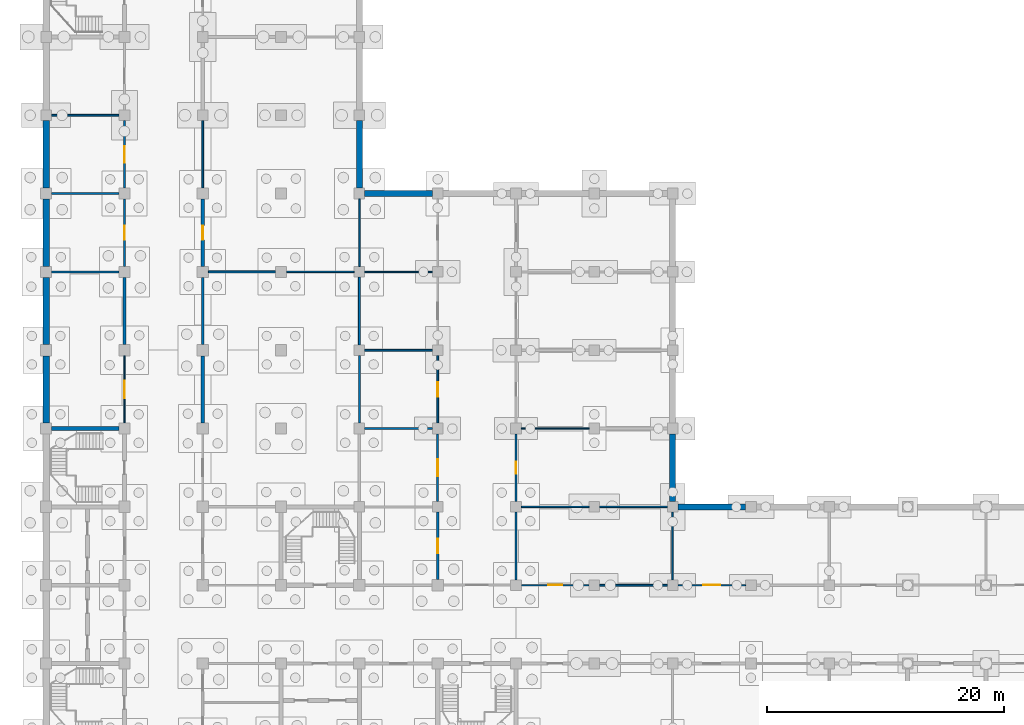
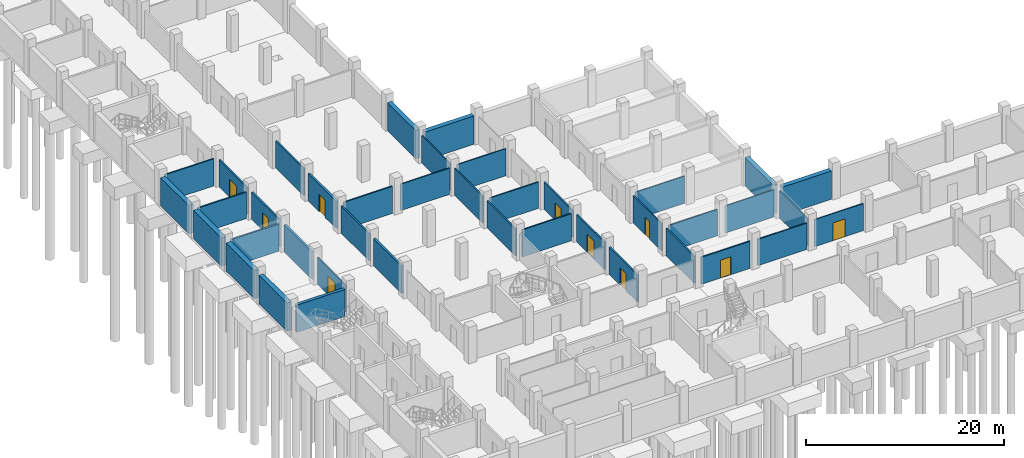
# One storey, part 9 of 18: 40 walls, 10 doors, 10 openings.
"""IFC4 building model written with IfcOpenShell, lengths in metres."""

from ifc_helpers import new_model, si_unit, direction, frame, frame_2d, origin, place, context, subcontext, project, spatial, rectangle, extrude, material, layer, layer_set, type_object, element, fill, save


model = new_model("IFC4")

# Units and contexts
model_context = context("Model", 3, precision=1e-05, world=origin(), true_north=direction((0.0, 1.0)))
body_context = subcontext(model_context, "Body", "Model", "MODEL_VIEW")
ifc_project = project(units=[si_unit("LENGTHUNIT", "METRE"), si_unit("AREAUNIT", "SQUARE_METRE"), si_unit("VOLUMEUNIT", "CUBIC_METRE"), si_unit("PLANEANGLEUNIT", "RADIAN"), si_unit("MASSUNIT", "GRAM", prefix="KILO")], contexts=[model_context])

# Site, building, storey
site_placement = place(None, origin())
site = spatial("IfcSite", under=ifc_project, at=site_placement, CompositionType="ELEMENT")
building_placement = place(site_placement, origin())
building = spatial("IfcBuilding", under=site, at=building_placement, Name="Rusizi Kubbe Research Institute", CompositionType="ELEMENT")
storey_placement = place(building_placement, frame((0.0, 0.0, -4.5)))
storey = spatial("IfcBuildingStorey", under=building, at=storey_placement, Name="B01", CompositionType="ELEMENT", Elevation=-4.5)

# Walls
ifc_material_1 = material(Name="Concrete C45/55", Category="concrete")
ifc_layer_1 = layer(ifc_material_1, 0.35009765625)
ifc_layer_set_1 = layer_set([ifc_layer_1], Name="Concrete C45/55")
wall_type_1 = type_object("IfcWallType", Name="CRW-01", PredefinedType="SHEAR", material=ifc_layer_set_1)
wall_1_placement = place(storey_placement, frame((0.47509765625, 33.0, 0.0), z_axis=(0.0, 0.0, 1.0), x_axis=(1.0, 0.0, 0.0)))
element("IfcWall", 1, at=wall_1_placement, inside=storey, type_object=wall_type_1, Name="Stair Core Shear Wall ST2 B01 N", PredefinedType="SHEAR", context=body_context, shape_type="SweptSolid", body=[
    extrude(rectangle(XDim=5.64990234375, YDim=0.35009765625, at=frame_2d((2.824951171875, 0.0))), origin(), (0.0, 0.0, 1.0), 3.340087890625),
])
ifc_material_2 = material(Name="Concrete Blockwork Fire Partition", Category="masonry")
ifc_layer_2 = layer(ifc_material_2, 0.22509765625)
ifc_layer_set_2 = layer_set([ifc_layer_2], Name="Concrete Blockwork Fire Partition")
wall_type_2 = type_object("IfcWallType", Name="IW-01", PredefinedType="PARTITIONING", material=ifc_layer_set_2)
wall_2_placement = place(storey_placement, frame((6.60009765625, 40.074951171875, 0.0), z_axis=(0.0, 0.0, 1.0), x_axis=(0.0, 1.0, 0.0)))
element("IfcWall", 2, at=wall_2_placement, inside=storey, type_object=wall_type_2, Name="Interior Partition Wall B01 V1-6", PredefinedType="PARTITIONING", context=body_context, shape_type="SweptSolid", body=[
    extrude(rectangle(XDim=5.650146484375, YDim=0.22509765625, at=frame_2d((2.8251953125, 0.0))), origin(), (0.0, 0.0, 1.0), 3.340087890625),
])
ifc_material_3 = material(Name="Insulated Cleanroom Partition", Category="masonry")
ifc_layer_3 = layer(ifc_material_3, 0.195068359375)
ifc_layer_set_3 = layer_set([ifc_layer_3], Name="Insulated Cleanroom Partition")
wall_type_3 = type_object("IfcWallType", Name="IW-02", PredefinedType="PARTITIONING", material=ifc_layer_set_3)
wall_3_placement = place(storey_placement, frame((0.47509765625, 46.199951171875, 0.0), z_axis=(0.0, 0.0, 1.0), x_axis=(1.0, 0.0, 0.0)))
element("IfcWall", 3, at=wall_3_placement, inside=storey, type_object=wall_type_3, Name="Interior Partition Wall B01 H0-7", PredefinedType="PARTITIONING", context=body_context, shape_type="SweptSolid", body=[
    extrude(rectangle(XDim=5.64990234375, YDim=0.195068359375, at=frame_2d((2.824951171875, 0.0))), origin(), (0.0, 0.0, 1.0), 3.340087890625),
])

# Wall, opening, door
wall_4_placement = place(storey_placement, frame((6.60009765625, 46.675048828125, 0.0), z_axis=(0.0, 0.0, 1.0), x_axis=(0.0, 1.0, 0.0)))
wall_4 = element("IfcWall", 4, at=wall_4_placement, inside=storey, type_object=wall_type_3, Name="Interior Partition Wall B01 V1-7", PredefinedType="PARTITIONING", context=body_context, shape_type="SweptSolid", body=[
    extrude(rectangle(XDim=5.64990234375, YDim=0.195068359375, at=frame_2d((2.824951171875, 0.0))), origin(), (0.0, 0.0, 1.0), 3.340087890625),
])
opening_1_placement = place(wall_4_placement, frame((2.215087890625, 0.0, 0.0)))
opening_1 = element("IfcOpeningElement", 5, at=opening_1_placement, cuts=wall_4, Name="Opening D-21", PredefinedType="OPENING", context=body_context, shape_type="SweptSolid", body=[
    extrude(rectangle(XDim=1.219970703125, YDim=2.14990234375, at=frame_2d((0.60986328125, 1.074951171875))), frame((0.0, 0.107421875, 0.0), z_axis=(0.0, -1.0, 0.0), x_axis=(1.0, 0.0, 0.0)), (0.0, 0.0, 1.0), 0.215087890625),
])
ifc_material_4 = material(Name="Fire-Rated Steel Frame and Acoustic Timber Leaf", Category="wood")
door_type_1 = type_object("IfcDoorType", Name="ID-STR-122", OperationType="NOTDEFINED", PredefinedType="DOOR", material=ifc_material_4)
door_1_placement = place(opening_1_placement, origin())
door_1 = element("IfcDoor", 6, at=door_1_placement, inside=storey, type_object=door_type_1, Name="Door to Water Reserve Tank Room (B01-B01W-07)", OperationType="SINGLE_SWING_RIGHT", OverallHeight=2.14990234375, OverallWidth=1.219970703125, PredefinedType="DOOR", context=body_context, shape_type="SweptSolid", body=[
    extrude(rectangle(XDim=1.219970703125, YDim=2.14990234375, at=frame_2d((0.60986328125, 1.074951171875))), frame((0.0, 0.02490234375, 0.0), z_axis=(0.0, -1.0, 0.0), x_axis=(1.0, 0.0, 0.0)), (0.0, 0.0, 1.0), 0.050048828125),
])
fill(opening_1, door_1)

# Wall
wall_5_placement = place(storey_placement, frame((13.199951171875, 40.074951171875, 0.0), z_axis=(0.0, 0.0, 1.0), x_axis=(0.0, 1.0, 0.0)))
element("IfcWall", 7, at=wall_5_placement, inside=storey, type_object=wall_type_3, Name="Interior Partition Wall B01 V2-6", PredefinedType="PARTITIONING", context=body_context, shape_type="SweptSolid", body=[
    extrude(rectangle(XDim=5.650146484375, YDim=0.195068359375, at=frame_2d((2.8251953125, 0.0))), origin(), (0.0, 0.0, 1.0), 3.340087890625),
])

# Wall, opening, door
wall_6_placement = place(storey_placement, frame((33.0, 20.27490234375, 0.0), z_axis=(0.0, 0.0, 1.0), x_axis=(0.0, 1.0, 0.0)))
wall_6 = element("IfcWall", 8, at=wall_6_placement, inside=storey, type_object=wall_type_3, Name="Interior Partition Wall B01 V5-3", PredefinedType="PARTITIONING", context=body_context, shape_type="SweptSolid", body=[
    extrude(rectangle(XDim=5.675048828125, YDim=0.195068359375, at=frame_2d((2.83740234375, 0.0))), origin(), (0.0, 0.0, 1.0), 3.340087890625),
])
opening_2_placement = place(wall_6_placement, frame((2.215087890625, 0.0, 0.0)))
opening_2 = element("IfcOpeningElement", 9, at=opening_2_placement, cuts=wall_6, Name="Opening D-21", PredefinedType="OPENING", context=body_context, shape_type="SweptSolid", body=[
    extrude(rectangle(XDim=1.219970703125, YDim=2.14990234375, at=frame_2d((0.60986328125, 1.074951171875))), frame((0.0, 0.107421875, 0.0), z_axis=(0.0, -1.0, 0.0), x_axis=(1.0, 0.0, 0.0)), (0.0, 0.0, 1.0), 0.215087890625),
])
door_2_placement = place(opening_2_placement, origin())
door_2 = element("IfcDoor", 10, at=door_2_placement, inside=storey, type_object=door_type_1, Name="Door to Sub-Fab Equipment Room (B01-ELBW-03)", OperationType="SINGLE_SWING_RIGHT", OverallHeight=2.14990234375, OverallWidth=1.219970703125, PredefinedType="DOOR", context=body_context, shape_type="SweptSolid", body=[
    extrude(rectangle(XDim=1.219970703125, YDim=2.14990234375, at=frame_2d((0.60986328125, 1.074951171875))), frame((0.0, 0.02490234375, 0.0), z_axis=(0.0, -1.0, 0.0), x_axis=(1.0, 0.0, 0.0)), (0.0, 0.0, 1.0), 0.050048828125),
])
fill(opening_2, door_2)

# Wall
ifc_material_5 = material(Name="Acoustic Laboratory Partition", Category="masonry")
ifc_layer_4 = layer(ifc_material_5, 0.175048828125)
ifc_layer_set_4 = layer_set([ifc_layer_4], Name="Acoustic Laboratory Partition")
wall_type_4 = type_object("IfcWallType", Name="IW-03", PredefinedType="PARTITIONING", material=ifc_layer_set_4)
wall_7_placement = place(storey_placement, frame((0.47509765625, 52.800048828125, 0.0), z_axis=(0.0, 0.0, 1.0), x_axis=(1.0, 0.0, 0.0)))
element("IfcWall", 11, at=wall_7_placement, inside=storey, type_object=wall_type_4, Name="Interior Partition Wall B01 H0-8", PredefinedType="PARTITIONING", context=body_context, shape_type="SweptSolid", body=[
    extrude(rectangle(XDim=5.64990234375, YDim=0.175048828125, at=frame_2d((2.824951171875, 0.0))), origin(), (0.0, 0.0, 1.0), 3.239990234375),
])

# Wall, opening, door
wall_8_placement = place(storey_placement, frame((6.60009765625, 53.27490234375, 0.0), z_axis=(0.0, 0.0, 1.0), x_axis=(0.0, 1.0, 0.0)))
wall_8 = element("IfcWall", 12, at=wall_8_placement, inside=storey, type_object=wall_type_4, Name="Interior Partition Wall B01 V1-8", PredefinedType="PARTITIONING", context=body_context, shape_type="SweptSolid", body=[
    extrude(rectangle(XDim=5.675048828125, YDim=0.175048828125, at=frame_2d((2.83740234375, 0.0))), origin(), (0.0, 0.0, 1.0), 3.340087890625),
])
opening_3_placement = place(wall_8_placement, frame((2.114990234375, 0.0, 0.0)))
opening_3 = element("IfcOpeningElement", 13, at=opening_3_placement, cuts=wall_8, Name="Opening D-22", PredefinedType="OPENING", context=body_context, shape_type="SweptSolid", body=[
    extrude(rectangle(XDim=1.419921875, YDim=2.199951171875, at=frame_2d((0.7099609375, 1.10009765625))), frame((0.0, 0.097412109375, 0.0), z_axis=(0.0, -1.0, 0.0), x_axis=(1.0, 0.0, 0.0)), (0.0, 0.0, 1.0), 0.195068359375),
])
ifc_material_6 = material(Name="Fire-Rated Steel Frame and Acoustic Timber Leaf", Category="wood")
door_type_2 = type_object("IfcDoorType", Name="ID-STR-142", OperationType="DOUBLE_DOOR_SINGLE_SWING", PredefinedType="DOOR", material=ifc_material_6)
door_3_placement = place(opening_3_placement, origin())
door_3 = element("IfcDoor", 14, at=door_3_placement, inside=storey, type_object=door_type_2, Name="Door to Sub-Fab Chiller and Pump Plant Room (B01-B01W-08)", OperationType="DOUBLE_DOOR_SINGLE_SWING", OverallHeight=2.199951171875, OverallWidth=1.419921875, PredefinedType="DOOR", context=body_context, shape_type="SweptSolid", body=[
    extrude(rectangle(XDim=1.419921875, YDim=2.199951171875, at=frame_2d((0.7099609375, 1.10009765625))), frame((0.0, 0.02490234375, 0.0), z_axis=(0.0, -1.0, 0.0), x_axis=(1.0, 0.0, 0.0)), (0.0, 0.0, 1.0), 0.050048828125),
])
fill(opening_3, door_3)

# Wall
wall_9_placement = place(storey_placement, frame((26.39990234375, 33.449951171875, 0.0), z_axis=(0.0, 0.0, 1.0), x_axis=(0.0, 1.0, 0.0)))
element("IfcWall", 15, at=wall_9_placement, inside=storey, type_object=wall_type_4, Name="Interior Partition Wall B01 V4-5", PredefinedType="PARTITIONING", context=body_context, shape_type="SweptSolid", body=[
    extrude(rectangle(XDim=5.699951171875, YDim=0.175048828125, at=frame_2d((2.85009765625, 0.0))), origin(), (0.0, 0.0, 1.0), 3.340087890625),
])

# Wall, opening, door
wall_10_placement = place(storey_placement, frame((33.0, 26.85009765625, 0.0), z_axis=(0.0, 0.0, 1.0), x_axis=(0.0, 1.0, 0.0)))
wall_10 = element("IfcWall", 16, at=wall_10_placement, inside=storey, type_object=wall_type_4, Name="Interior Partition Wall B01 V5-4", PredefinedType="PARTITIONING", context=body_context, shape_type="SweptSolid", body=[
    extrude(rectangle(XDim=5.699951171875, YDim=0.175048828125, at=frame_2d((2.85009765625, 0.0))), origin(), (0.0, 0.0, 1.0), 3.340087890625),
])
opening_4_placement = place(wall_10_placement, frame((2.139892578125, 0.0, 0.0)))
opening_4 = element("IfcOpeningElement", 17, at=opening_4_placement, cuts=wall_10, Name="Opening D-22", PredefinedType="OPENING", context=body_context, shape_type="SweptSolid", body=[
    extrude(rectangle(XDim=1.419921875, YDim=2.199951171875, at=frame_2d((0.7099609375, 1.10009765625))), frame((0.0, 0.097412109375, 0.0), z_axis=(0.0, -1.0, 0.0), x_axis=(1.0, 0.0, 0.0)), (0.0, 0.0, 1.0), 0.195068359375),
])
door_4_placement = place(opening_4_placement, origin())
door_4 = element("IfcDoor", 18, at=door_4_placement, inside=storey, type_object=door_type_2, Name="Door to Sub-Fab Equipment Room (B01-ELBW-04)", OperationType="DOUBLE_DOOR_SINGLE_SWING", OverallHeight=2.199951171875, OverallWidth=1.419921875, PredefinedType="DOOR", context=body_context, shape_type="SweptSolid", body=[
    extrude(rectangle(XDim=1.419921875, YDim=2.199951171875, at=frame_2d((0.7099609375, 1.10009765625))), frame((0.0, 0.02490234375, 0.0), z_axis=(0.0, -1.0, 0.0), x_axis=(1.0, 0.0, 0.0)), (0.0, 0.0, 1.0), 0.050048828125),
])
fill(opening_4, door_4)

# Walls
wall_11_placement = place(storey_placement, frame((39.60009765625, 20.25, 0.0), z_axis=(0.0, 0.0, 1.0), x_axis=(0.0, 1.0, 0.0)))
element("IfcWall", 19, at=wall_11_placement, inside=storey, type_object=wall_type_4, Name="Interior Partition Wall B01 V6-3", PredefinedType="PARTITIONING", context=body_context, shape_type="SweptSolid", body=[
    extrude(rectangle(XDim=5.699951171875, YDim=0.175048828125, at=frame_2d((2.85009765625, 0.0))), origin(), (0.0, 0.0, 1.0), 3.340087890625),
])
ifc_material_7 = material(Name="Fire-Rated Corridor Partition", Category="masonry")
ifc_layer_5 = layer(ifc_material_7, 0.155029296875)
ifc_layer_set_5 = layer_set([ifc_layer_5], Name="Fire-Rated Corridor Partition")
wall_type_5 = type_object("IfcWallType", Name="IW-04", PredefinedType="PARTITIONING", material=ifc_layer_set_5)
wall_12_placement = place(storey_placement, frame((0.449951171875, 59.39990234375, 0.0), z_axis=(0.0, 0.0, 1.0), x_axis=(1.0, 0.0, 0.0)))
element("IfcWall", 20, at=wall_12_placement, inside=storey, type_object=wall_type_5, Name="Interior Partition Wall B01 H0-9", PredefinedType="PARTITIONING", context=body_context, shape_type="SweptSolid", body=[
    extrude(rectangle(XDim=5.699951171875, YDim=0.155029296875, at=frame_2d((2.85009765625, 0.0))), origin(), (0.0, 0.0, 1.0), 3.340087890625),
])
wall_13_placement = place(storey_placement, frame((13.199951171875, 53.27490234375, 0.0), z_axis=(0.0, 0.0, 1.0), x_axis=(0.0, 1.0, 0.0)))
element("IfcWall", 21, at=wall_13_placement, inside=storey, type_object=wall_type_5, Name="Interior Partition Wall B01 V2-8", PredefinedType="PARTITIONING", context=body_context, shape_type="SweptSolid", body=[
    extrude(rectangle(XDim=5.675048828125, YDim=0.155029296875, at=frame_2d((2.83740234375, 0.0))), origin(), (0.0, 0.0, 1.0), 3.340087890625),
])
wall_14_placement = place(storey_placement, frame((13.675048828125, 46.199951171875, 0.0), z_axis=(0.0, 0.0, 1.0), x_axis=(1.0, 0.0, 0.0)))
element("IfcWall", 22, at=wall_14_placement, inside=storey, type_object=wall_type_5, Name="Interior Partition Wall B01 H2-7", PredefinedType="PARTITIONING", context=body_context, shape_type="SweptSolid", body=[
    extrude(rectangle(XDim=5.64990234375, YDim=0.155029296875, at=frame_2d((2.824951171875, 0.0))), origin(), (0.0, 0.0, 1.0), 3.340087890625),
])
for number, where, z_axis, x_axis, name in (
    (23, (26.39990234375, 40.050048828125, 0.0), (0.0, 0.0, 1.0), (0.0, 1.0, 0.0), "Interior Partition Wall B01 V4-6"),
    (24, (26.85009765625, 33.0, 0.0), (0.0, 0.0, 1.0), (1.0, 0.0, 0.0), "Interior Partition Wall B01 H4-5"),
):
    element("IfcWall", number, at=place(storey_placement, frame(where, z_axis=z_axis, x_axis=x_axis)), inside=storey, type_object=wall_type_5, Name=name, PredefinedType="PARTITIONING", context=body_context, shape_type="SweptSolid", body=[
        extrude(rectangle(XDim=5.699951171875, YDim=0.155029296875, at=frame_2d((2.85009765625, 0.0))), origin(), (0.0, 0.0, 1.0), 3.340087890625),
    ])

# Wall, opening, door
wall_15_placement = place(storey_placement, frame((33.0, 33.449951171875, 0.0), z_axis=(0.0, 0.0, 1.0), x_axis=(0.0, 1.0, 0.0)))
wall_15 = element("IfcWall", 25, at=wall_15_placement, inside=storey, type_object=wall_type_5, Name="Interior Partition Wall B01 V5-5", PredefinedType="PARTITIONING", context=body_context, shape_type="SweptSolid", body=[
    extrude(rectangle(XDim=5.699951171875, YDim=0.155029296875, at=frame_2d((2.85009765625, 0.0))), origin(), (0.0, 0.0, 1.0), 3.340087890625),
])
opening_5_placement = place(wall_15_placement, frame((2.239990234375, 0.0, 0.0)))
opening_5 = element("IfcOpeningElement", 26, at=opening_5_placement, cuts=wall_15, Name="Opening D-21", PredefinedType="OPENING", context=body_context, shape_type="SweptSolid", body=[
    extrude(rectangle(XDim=1.219970703125, YDim=2.14990234375, at=frame_2d((0.60986328125, 1.074951171875))), frame((0.0, 0.08740234375, 0.0), z_axis=(0.0, -1.0, 0.0), x_axis=(1.0, 0.0, 0.0)), (0.0, 0.0, 1.0), 0.175048828125),
])
door_5_placement = place(opening_5_placement, origin())
door_5 = element("IfcDoor", 27, at=door_5_placement, inside=storey, type_object=door_type_1, Name="Door to Sub-Fab Equipment Room (B01-ELBW-05)", OperationType="SINGLE_SWING_RIGHT", OverallHeight=2.14990234375, OverallWidth=1.219970703125, PredefinedType="DOOR", context=body_context, shape_type="SweptSolid", body=[
    extrude(rectangle(XDim=1.219970703125, YDim=2.14990234375, at=frame_2d((0.60986328125, 1.074951171875))), frame((0.0, 0.02490234375, 0.0), z_axis=(0.0, -1.0, 0.0), x_axis=(1.0, 0.0, 0.0)), (0.0, 0.0, 1.0), 0.050048828125),
])
fill(opening_5, door_5)

wall_16_placement = place(storey_placement, frame((39.60009765625, 26.85009765625, 0.0), z_axis=(0.0, 0.0, 1.0), x_axis=(0.0, 1.0, 0.0)))
wall_16 = element("IfcWall", 28, at=wall_16_placement, inside=storey, type_object=wall_type_5, Name="Interior Partition Wall B01 V6-4", PredefinedType="PARTITIONING", context=body_context, shape_type="SweptSolid", body=[
    extrude(rectangle(XDim=5.699951171875, YDim=0.155029296875, at=frame_2d((2.85009765625, 0.0))), origin(), (0.0, 0.0, 1.0), 3.340087890625),
])
opening_6_placement = place(wall_16_placement, frame((2.360107421875, 0.0, 0.0)))
opening_6 = element("IfcOpeningElement", 29, at=opening_6_placement, cuts=wall_16, Name="Opening D-20", PredefinedType="OPENING", context=body_context, shape_type="SweptSolid", body=[
    extrude(rectangle(XDim=0.97998046875, YDim=2.14990234375, at=frame_2d((0.489990234375, 1.074951171875))), frame((0.0, 0.08740234375, 0.0), z_axis=(0.0, -1.0, 0.0), x_axis=(1.0, 0.0, 0.0)), (0.0, 0.0, 1.0), 0.175048828125),
])
ifc_material_8 = material(Name="Fire-Rated Steel Frame and Acoustic Timber Leaf", Category="wood")
door_type_3 = type_object("IfcDoorType", Name="ID-OFF-980", OperationType="NOTDEFINED", PredefinedType="DOOR", material=ifc_material_8)
door_6_placement = place(opening_6_placement, origin())
door_6 = element("IfcDoor", 30, at=door_6_placement, inside=storey, type_object=door_type_3, Name="Door to Write-up Office (B01-ELBE-04)", OperationType="SINGLE_SWING_LEFT", OverallHeight=2.14990234375, OverallWidth=0.97998046875, PredefinedType="DOOR", context=body_context, shape_type="SweptSolid", body=[
    extrude(rectangle(XDim=0.97998046875, YDim=2.14990234375, at=frame_2d((0.489990234375, 1.074951171875))), frame((0.0, 0.02490234375, 0.0), z_axis=(0.0, -1.0, 0.0), x_axis=(1.0, 0.0, 0.0)), (0.0, 0.0, 1.0), 0.050048828125),
])
fill(opening_6, door_6)

wall_17_placement = place(storey_placement, frame((40.050048828125, 19.800048828125, 0.0), z_axis=(0.0, 0.0, 1.0), x_axis=(1.0, 0.0, 0.0)))
wall_17 = element("IfcWall", 31, at=wall_17_placement, inside=storey, type_object=wall_type_5, Name="Interior Partition Wall B01 H6-3", PredefinedType="PARTITIONING", context=body_context, shape_type="SweptSolid", body=[
    extrude(rectangle(XDim=5.699951171875, YDim=0.155029296875, at=frame_2d((2.85009765625, 0.0))), origin(), (0.0, 0.0, 1.0), 3.340087890625),
])
opening_7_placement = place(wall_17_placement, frame((2.260009765625, 0.0, 0.0)))
opening_7 = element("IfcOpeningElement", 32, at=opening_7_placement, cuts=wall_17, Name="Opening D-19", PredefinedType="OPENING", context=body_context, shape_type="SweptSolid", body=[
    extrude(rectangle(XDim=1.179931640625, YDim=2.199951171875, at=frame_2d((0.58984375, 1.10009765625))), frame((0.0, 0.08740234375, 0.0), z_axis=(0.0, -1.0, 0.0), x_axis=(1.0, 0.0, 0.0)), (0.0, 0.0, 1.0), 0.175048828125),
])
ifc_material_9 = material(Name="Fire-Rated Steel Frame and Acoustic Timber Leaf", Category="wood")
door_type_4 = type_object("IfcDoorType", Name="ID-OFF-118", OperationType="NOTDEFINED", PredefinedType="DOOR", material=ifc_material_9)
door_7_placement = place(opening_7_placement, origin())
door_7 = element("IfcDoor", 33, at=door_7_placement, inside=storey, type_object=door_type_4, Name="Door to Write-up Office (B01-ELBE-03)", OperationType="SINGLE_SWING_RIGHT", OverallHeight=2.199951171875, OverallWidth=1.179931640625, PredefinedType="DOOR", context=body_context, shape_type="SweptSolid", body=[
    extrude(rectangle(XDim=1.179931640625, YDim=2.199951171875, at=frame_2d((0.58984375, 1.10009765625))), frame((0.0, 0.02490234375, 0.0), z_axis=(0.0, -1.0, 0.0), x_axis=(1.0, 0.0, 0.0)), (0.0, 0.0, 1.0), 0.050048828125),
])
fill(opening_7, door_7)

# Walls
ifc_material_10 = material(Name="Write-up Glazed Acoustic Partition", Category="masonry")
ifc_layer_6 = layer(ifc_material_10, 0.139892578125)
ifc_layer_set_6 = layer_set([ifc_layer_6], Name="Write-up Glazed Acoustic Partition")
wall_type_6 = type_object("IfcWallType", Name="IW-05", PredefinedType="PARTITIONING", material=ifc_layer_set_6)
wall_18_placement = place(storey_placement, frame((20.27490234375, 46.199951171875, 0.0), z_axis=(0.0, 0.0, 1.0), x_axis=(1.0, 0.0, 0.0)))
element("IfcWall", 34, at=wall_18_placement, inside=storey, type_object=wall_type_6, Name="Interior Partition Wall B01 H3-7", PredefinedType="PARTITIONING", context=body_context, shape_type="SweptSolid", body=[
    extrude(rectangle(XDim=5.675048828125, YDim=0.139892578125, at=frame_2d((2.83740234375, 0.0))), origin(), (0.0, 0.0, 1.0), 3.239990234375),
])
wall_19_placement = place(storey_placement, frame((26.39990234375, 46.64990234375, 0.0), z_axis=(0.0, 0.0, 1.0), x_axis=(0.0, 1.0, 0.0)))
element("IfcWall", 35, at=wall_19_placement, inside=storey, type_object=wall_type_6, Name="Interior Partition Wall B01 V4-7", PredefinedType="PARTITIONING", context=body_context, shape_type="SweptSolid", body=[
    extrude(rectangle(XDim=5.7001953125, YDim=0.139892578125, at=frame_2d((2.85009765625, 0.0))), origin(), (0.0, 0.0, 1.0), 3.340087890625),
])
for number, where, z_axis, x_axis, name in (
    (36, (26.85009765625, 39.60009765625, 0.0), (0.0, 0.0, 1.0), (1.0, 0.0, 0.0), "Interior Partition Wall B01 H4-6"),
    (37, (40.050048828125, 26.39990234375, 0.0), (0.0, 0.0, 1.0), (1.0, 0.0, 0.0), "Interior Partition Wall B01 H6-4"),
):
    element("IfcWall", number, at=place(storey_placement, frame(where, z_axis=z_axis, x_axis=x_axis)), inside=storey, type_object=wall_type_6, Name=name, PredefinedType="PARTITIONING", context=body_context, shape_type="SweptSolid", body=[
        extrude(rectangle(XDim=5.699951171875, YDim=0.139892578125, at=frame_2d((2.85009765625, 0.0))), origin(), (0.0, 0.0, 1.0), 3.239990234375),
    ])
wall_20_placement = place(storey_placement, frame((46.64990234375, 19.800048828125, 0.0), z_axis=(0.0, 0.0, 1.0), x_axis=(1.0, 0.0, 0.0)))
element("IfcWall", 38, at=wall_20_placement, inside=storey, type_object=wall_type_6, Name="Interior Partition Wall B01 H7-3", PredefinedType="PARTITIONING", context=body_context, shape_type="SweptSolid", body=[
    extrude(rectangle(XDim=5.7001953125, YDim=0.139892578125, at=frame_2d((2.85009765625, 0.0))), origin(), (0.0, 0.0, 1.0), 3.239990234375),
])
wall_21_placement = place(storey_placement, frame((52.800048828125, 20.25, 0.0), z_axis=(0.0, 0.0, 1.0), x_axis=(0.0, 1.0, 0.0)))
element("IfcWall", 39, at=wall_21_placement, inside=storey, type_object=wall_type_6, Name="Interior Partition Wall B01 V8-3", PredefinedType="PARTITIONING", context=body_context, shape_type="SweptSolid", body=[
    extrude(rectangle(XDim=5.699951171875, YDim=0.139892578125, at=frame_2d((2.85009765625, 0.0))), origin(), (0.0, 0.0, 1.0), 3.340087890625),
])

# Wall, opening, door
ifc_material_11 = material(Name="Sub-Suite Fire Partition", Category="masonry")
ifc_layer_7 = layer(ifc_material_11, 0.110107421875)
ifc_layer_set_7 = layer_set([ifc_layer_7], Name="Sub-Suite Fire Partition")
wall_type_7 = type_object("IfcWallType", Name="IW-07", PredefinedType="PARTITIONING", material=ifc_layer_set_7)
wall_22_placement = place(storey_placement, frame((6.60009765625, 33.47509765625, 0.0), z_axis=(0.0, 0.0, 1.0), x_axis=(0.0, 1.0, 0.0)))
wall_22 = element("IfcWall", 40, at=wall_22_placement, inside=storey, type_object=wall_type_7, Name="Interior Partition Wall B01 V1-5", PredefinedType="PARTITIONING", context=body_context, shape_type="SweptSolid", body=[
    extrude(rectangle(XDim=5.64990234375, YDim=0.110107421875, at=frame_2d((2.824951171875, 0.0))), origin(), (0.0, 0.0, 1.0), 3.340087890625),
])
opening_8_placement = place(wall_22_placement, frame((2.0849609375, 0.0, 0.0)))
opening_8 = element("IfcOpeningElement", 41, at=opening_8_placement, cuts=wall_22, Name="Opening LD-08", PredefinedType="OPENING", context=body_context, shape_type="SweptSolid", body=[
    extrude(rectangle(XDim=1.47998046875, YDim=2.25, at=frame_2d((0.739990234375, 1.125))), frame((0.0, 0.06494140625, 0.0), z_axis=(0.0, -1.0, 0.0), x_axis=(1.0, 0.0, 0.0)), (0.0, 0.0, 1.0), 0.130126953125),
])
ifc_material_12 = material(Name="Brushed Stainless Steel Sliding Door", Category="steel")
door_type_5 = type_object("IfcDoorType", Name="LD-08", OperationType="DOUBLE_DOOR_SLIDING", PredefinedType="USERDEFINED", material=ifc_material_12)
door_8_placement = place(opening_8_placement, origin())
door_8 = element("IfcDoor", 42, at=door_8_placement, inside=storey, type_object=door_type_5, Name="Door to ISO-5 Nanometrology Clean Room (B01-CR-05)", ObjectType="SLIDING DOOR", OperationType="DOUBLE_DOOR_SLIDING", OverallHeight=2.25, OverallWidth=1.47998046875, PredefinedType="USERDEFINED", context=body_context, shape_type="SweptSolid", body=[
    extrude(rectangle(XDim=1.47998046875, YDim=2.25, at=frame_2d((0.739990234375, 1.125))), frame((0.0, 0.02490234375, 0.0), z_axis=(0.0, -1.0, 0.0), x_axis=(1.0, 0.0, 0.0)), (0.0, 0.0, 1.0), 0.050048828125),
])
fill(opening_8, door_8)

# Walls
for number, where, z_axis, x_axis, name in (
    (43, (26.85009765625, 46.199951171875, 0.0), (0.0, 0.0, 1.0), (1.0, 0.0, 0.0), "Interior Partition Wall B01 H4-7"),
    (44, (40.050048828125, 33.0, 0.0), (0.0, 0.0, 1.0), (1.0, 0.0, 0.0), "Interior Partition Wall B01 H6-5"),
):
    element("IfcWall", number, at=place(storey_placement, frame(where, z_axis=z_axis, x_axis=x_axis)), inside=storey, type_object=wall_type_7, Name=name, PredefinedType="PARTITIONING", context=body_context, shape_type="SweptSolid", body=[
        extrude(rectangle(XDim=5.699951171875, YDim=0.110107421875, at=frame_2d((2.85009765625, 0.0))), origin(), (0.0, 0.0, 1.0), 3.340087890625),
    ])
wall_23_placement = place(storey_placement, frame((46.64990234375, 26.39990234375, 0.0), z_axis=(0.0, 0.0, 1.0), x_axis=(1.0, 0.0, 0.0)))
element("IfcWall", 45, at=wall_23_placement, inside=storey, type_object=wall_type_7, Name="Interior Partition Wall B01 H7-4", PredefinedType="PARTITIONING", context=body_context, shape_type="SweptSolid", body=[
    extrude(rectangle(XDim=5.7001953125, YDim=0.110107421875, at=frame_2d((2.85009765625, 0.0))), origin(), (0.0, 0.0, 1.0), 3.340087890625),
])

# Wall, opening, door
wall_24_placement = place(storey_placement, frame((53.25, 19.800048828125, 0.0), z_axis=(0.0, 0.0, 1.0), x_axis=(1.0, 0.0, 0.0)))
wall_24 = element("IfcWall", 46, at=wall_24_placement, inside=storey, type_object=wall_type_7, Name="Interior Partition Wall B01 H8-3", PredefinedType="PARTITIONING", context=body_context, shape_type="SweptSolid", body=[
    extrude(rectangle(XDim=5.699951171875, YDim=0.110107421875, at=frame_2d((2.85009765625, 0.0))), origin(), (0.0, 0.0, 1.0), 3.340087890625),
])
opening_9_placement = place(wall_24_placement, frame((2.139892578125, 0.0, 0.0)))
opening_9 = element("IfcOpeningElement", 47, at=opening_9_placement, cuts=wall_24, Name="Opening D-22", PredefinedType="OPENING", context=body_context, shape_type="SweptSolid", body=[
    extrude(rectangle(XDim=1.419921875, YDim=2.199951171875, at=frame_2d((0.7099609375, 1.10009765625))), frame((0.0, 0.06494140625, 0.0), z_axis=(0.0, -1.0, 0.0), x_axis=(1.0, 0.0, 0.0)), (0.0, 0.0, 1.0), 0.130126953125),
])
door_9_placement = place(opening_9_placement, origin())
door_9 = element("IfcDoor", 48, at=door_9_placement, inside=storey, type_object=door_type_2, Name="Door to Electrical and Mechanical Plant Room (B01-EWN-01)", OperationType="DOUBLE_DOOR_SINGLE_SWING", OverallHeight=2.199951171875, OverallWidth=1.419921875, PredefinedType="DOOR", context=body_context, shape_type="SweptSolid", body=[
    extrude(rectangle(XDim=1.419921875, YDim=2.199951171875, at=frame_2d((0.7099609375, 1.10009765625))), frame((0.0, 0.02490234375, 0.0), z_axis=(0.0, -1.0, 0.0), x_axis=(1.0, 0.0, 0.0)), (0.0, 0.0, 1.0), 0.050048828125),
])
fill(opening_9, door_9)

# Walls
ifc_material_13 = material(Name="Concrete C45/55", Category="concrete")
ifc_layer_8 = layer(ifc_material_13, 0.56005859375)
ifc_layer_set_8 = layer_set([ifc_layer_8], Name="Concrete C45/55")
wall_type_8 = type_object("IfcWallType", Name="RW-01", PredefinedType="USERDEFINED", material=ifc_layer_set_8)
wall_25_placement = place(storey_placement, frame((0.0, 33.47509765625, 0.0), z_axis=(0.0, 0.0, 1.0), x_axis=(0.0, 1.0, 0.0)))
element("IfcWall", 49, at=wall_25_placement, inside=storey, type_object=wall_type_8, Name="Basement Retaining Wall B01 V0-5", ObjectType="RETAINING WALL", PredefinedType="USERDEFINED", context=body_context, shape_type="SweptSolid", body=[
    extrude(rectangle(XDim=5.64990234375, YDim=0.56005859375, at=frame_2d((2.824951171875, 0.0))), origin(), (0.0, 0.0, 1.0), 3.489990234375),
])
wall_26_placement = place(storey_placement, frame((0.0, 40.074951171875, 0.0), z_axis=(0.0, 0.0, 1.0), x_axis=(0.0, 1.0, 0.0)))
element("IfcWall", 50, at=wall_26_placement, inside=storey, type_object=wall_type_8, Name="Basement Retaining Wall B01 V0-6", ObjectType="RETAINING WALL", PredefinedType="USERDEFINED", context=body_context, shape_type="SweptSolid", body=[
    extrude(rectangle(XDim=5.650146484375, YDim=0.56005859375, at=frame_2d((2.8251953125, 0.0))), origin(), (0.0, 0.0, 1.0), 3.489990234375),
])
wall_27_placement = place(storey_placement, frame((0.0, 46.675048828125, 0.0), z_axis=(0.0, 0.0, 1.0), x_axis=(0.0, 1.0, 0.0)))
element("IfcWall", 51, at=wall_27_placement, inside=storey, type_object=wall_type_8, Name="Basement Retaining Wall B01 V0-7", ObjectType="RETAINING WALL", PredefinedType="USERDEFINED", context=body_context, shape_type="SweptSolid", body=[
    extrude(rectangle(XDim=5.64990234375, YDim=0.56005859375, at=frame_2d((2.824951171875, 0.0))), origin(), (0.0, 0.0, 1.0), 3.489990234375),
])
wall_28_placement = place(storey_placement, frame((0.0, 53.27490234375, 0.0), z_axis=(0.0, 0.0, 1.0), x_axis=(0.0, 1.0, 0.0)))
element("IfcWall", 52, at=wall_28_placement, inside=storey, type_object=wall_type_8, Name="Basement Retaining Wall B01 V0-8", ObjectType="RETAINING WALL", PredefinedType="USERDEFINED", context=body_context, shape_type="SweptSolid", body=[
    extrude(rectangle(XDim=5.675048828125, YDim=0.56005859375, at=frame_2d((2.83740234375, 0.0))), origin(), (0.0, 0.0, 1.0), 3.489990234375),
])
ifc_material_14 = material(Name="Concrete C45/55", Category="concrete")
ifc_layer_9 = layer(ifc_material_14, 0.52001953125)
ifc_layer_set_9 = layer_set([ifc_layer_9], Name="Concrete C45/55")
wall_type_9 = type_object("IfcWallType", Name="RW-02", PredefinedType="USERDEFINED", material=ifc_layer_set_9)
for number, where, z_axis, x_axis, name in (
    (53, (26.39990234375, 53.25, 0.0), (0.0, 0.0, 1.0), (0.0, 1.0, 0.0), "Basement Retaining Wall B01 V4-8"),
    (54, (26.85009765625, 52.800048828125, 0.0), (0.0, 0.0, 1.0), (1.0, 0.0, 0.0), "Basement Retaining Wall B01 H4-8"),
    (55, (52.800048828125, 26.85009765625, 0.0), (0.0, 0.0, 1.0), (0.0, 1.0, 0.0), "Basement Retaining Wall B01 V8-4"),
    (56, (53.25, 26.39990234375, 0.0), (0.0, 0.0, 1.0), (1.0, 0.0, 0.0), "Basement Retaining Wall B01 H8-4"),
):
    element("IfcWall", number, at=place(storey_placement, frame(where, z_axis=z_axis, x_axis=x_axis)), inside=storey, type_object=wall_type_9, Name=name, ObjectType="RETAINING WALL", PredefinedType="USERDEFINED", context=body_context, shape_type="SweptSolid", body=[
        extrude(rectangle(XDim=5.699951171875, YDim=0.52001953125, at=frame_2d((2.85009765625, 0.0))), origin(), (0.0, 0.0, 1.0), 3.489990234375),
    ])
ifc_material_15 = material(Name="Concrete C40/50", Category="concrete")
ifc_layer_10 = layer(ifc_material_15, 0.2548828125)
ifc_layer_set_10 = layer_set([ifc_layer_10], Name="Concrete C40/50")
wall_type_10 = type_object("IfcWallType", Name="SHW-02", PredefinedType="SHEAR", material=ifc_layer_set_10)
wall_29_placement = place(storey_placement, frame((13.199951171875, 33.47509765625, 0.0), z_axis=(0.0, 0.0, 1.0), x_axis=(0.0, 1.0, 0.0)))
element("IfcWall", 57, at=wall_29_placement, inside=storey, type_object=wall_type_10, Name="Interior Partition Wall B01 V2-5", PredefinedType="SHEAR", context=body_context, shape_type="SweptSolid", body=[
    extrude(rectangle(XDim=5.64990234375, YDim=0.2548828125, at=frame_2d((2.824951171875, 0.0))), origin(), (0.0, 0.0, 1.0), 3.340087890625),
])

# Wall, opening, door
wall_30_placement = place(storey_placement, frame((13.199951171875, 46.675048828125, 0.0), z_axis=(0.0, 0.0, 1.0), x_axis=(0.0, 1.0, 0.0)))
wall_30 = element("IfcWall", 58, at=wall_30_placement, inside=storey, type_object=wall_type_10, Name="Interior Partition Wall B01 V2-7", PredefinedType="SHEAR", context=body_context, shape_type="SweptSolid", body=[
    extrude(rectangle(XDim=5.64990234375, YDim=0.2548828125, at=frame_2d((2.824951171875, 0.0))), origin(), (0.0, 0.0, 1.0), 3.340087890625),
])
opening_10_placement = place(wall_30_placement, frame((2.215087890625, 0.0, 0.0)))
opening_10 = element("IfcOpeningElement", 59, at=opening_10_placement, cuts=wall_30, Name="Opening D-21", PredefinedType="OPENING", context=body_context, shape_type="SweptSolid", body=[
    extrude(rectangle(XDim=1.219970703125, YDim=2.14990234375, at=frame_2d((0.60986328125, 1.074951171875))), frame((0.0, 0.137451171875, 0.0), z_axis=(0.0, -1.0, 0.0), x_axis=(1.0, 0.0, 0.0)), (0.0, 0.0, 1.0), 0.27490234375),
])
door_10_placement = place(opening_10_placement, origin())
door_10 = element("IfcDoor", 60, at=door_10_placement, inside=storey, type_object=door_type_1, Name="Door to Basement Vehicle Parking Hall (B01-NW-03)", OperationType="SINGLE_SWING_RIGHT", OverallHeight=2.14990234375, OverallWidth=1.219970703125, PredefinedType="DOOR", context=body_context, shape_type="SweptSolid", body=[
    extrude(rectangle(XDim=1.219970703125, YDim=2.14990234375, at=frame_2d((0.60986328125, 1.074951171875))), frame((0.0, 0.02490234375, 0.0), z_axis=(0.0, -1.0, 0.0), x_axis=(1.0, 0.0, 0.0)), (0.0, 0.0, 1.0), 0.050048828125),
])
fill(opening_10, door_10)

save(model, "model.ifc")
